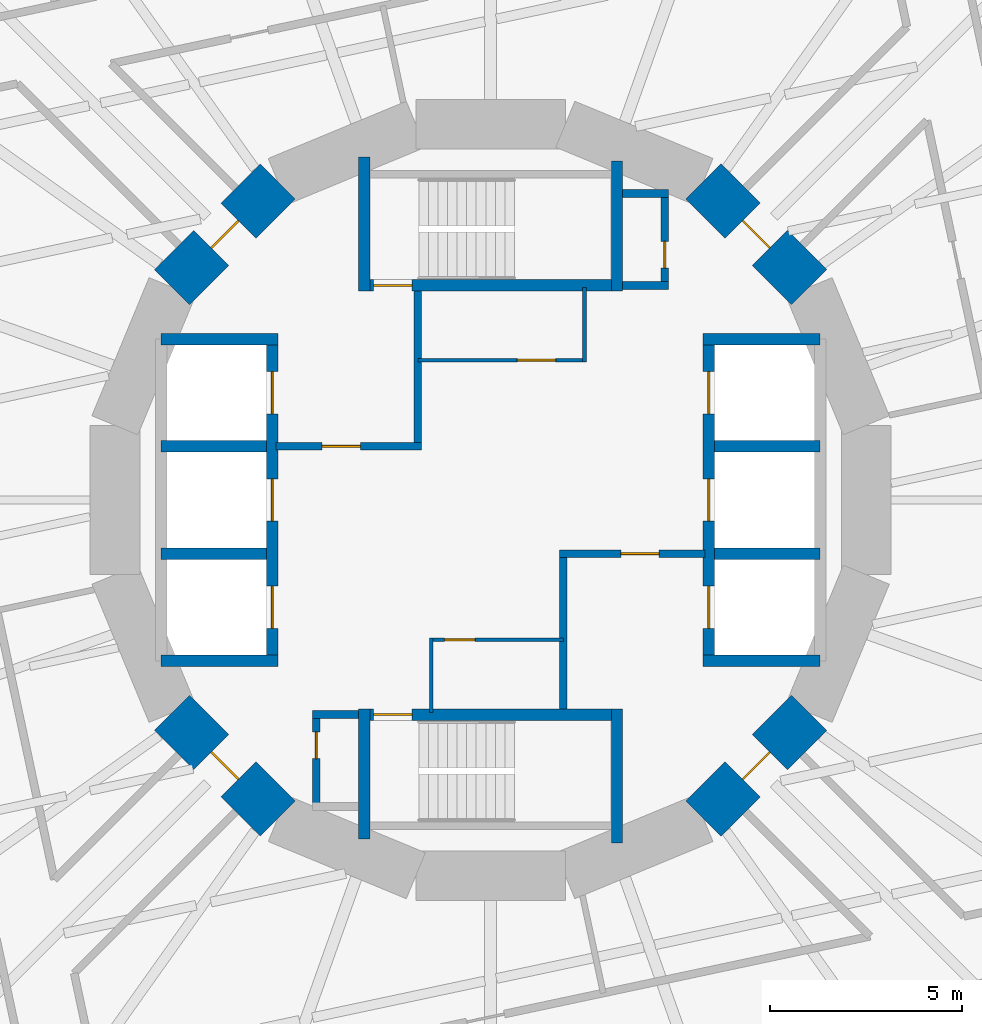
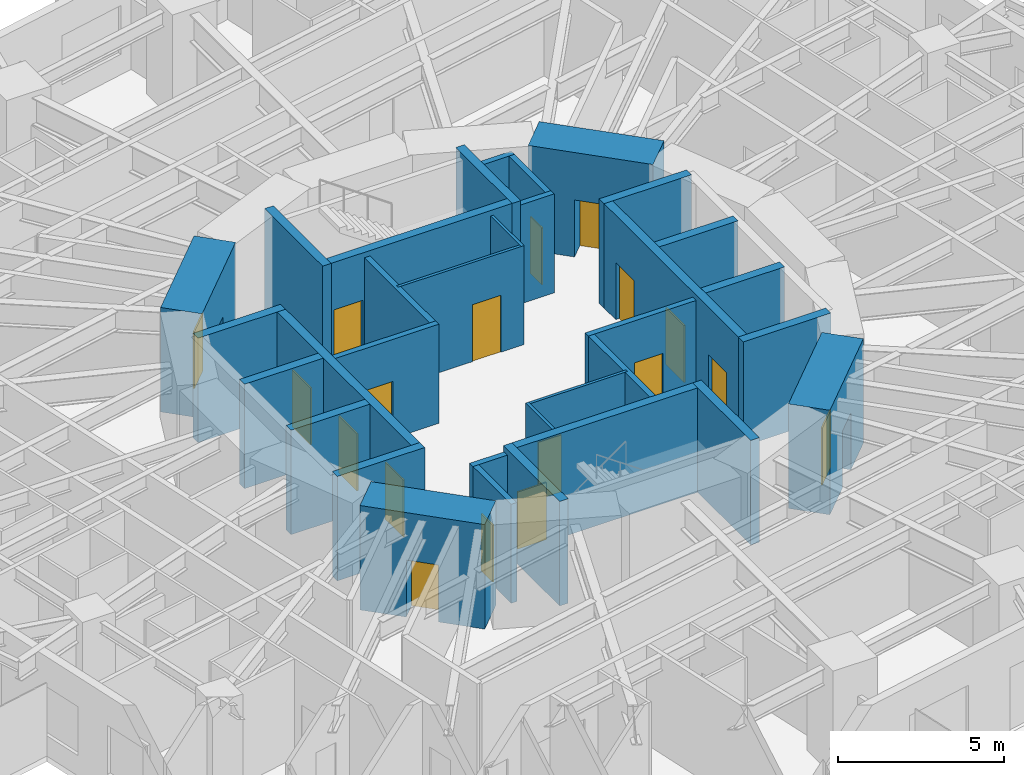
# One storey, part 7 of 14: 33 walls, 18 doors, 18 openings.
"""IFC4 building model written with IfcOpenShell, lengths in metres."""

from ifc_helpers import new_model, si_unit, direction, frame, frame_2d, origin, place, context, subcontext, project, spatial, rectangle, extrude, material, layer, layer_set, type_object, element, fill, save


model = new_model("IFC4")

# Units and contexts
model_context = context("Model", 3, precision=1e-05, world=origin(), true_north=direction((0.0, 1.0)))
body_context = subcontext(model_context, "Body", "Model", "MODEL_VIEW")
ifc_project = project(units=[si_unit("LENGTHUNIT", "METRE"), si_unit("AREAUNIT", "SQUARE_METRE"), si_unit("VOLUMEUNIT", "CUBIC_METRE"), si_unit("PLANEANGLEUNIT", "RADIAN"), si_unit("MASSUNIT", "GRAM", prefix="KILO")], contexts=[model_context])

# Site, building, storey
site_placement = place(None, origin())
site = spatial("IfcSite", under=ifc_project, at=site_placement, CompositionType="ELEMENT")
building_placement = place(site_placement, origin())
building = spatial("IfcBuilding", under=site, at=building_placement, Name="Nakasero Lantern House", CompositionType="ELEMENT")
storey_placement = place(building_placement, frame((0.0, 0.0, 128.10009765625)))
storey = spatial("IfcBuildingStorey", under=building, at=storey_placement, Name="L31", CompositionType="ELEMENT", Elevation=128.10009765625)

# Wall, openings, doors
ifc_material_1 = material(Name="Concrete C50/60", Category="concrete")
ifc_layer_1 = layer(ifc_material_1, 0.300048828125)
ifc_layer_set_1 = layer_set([ifc_layer_1], Name="Core inner wall 300")
wall_type_1 = type_object("IfcWallType", Name="Core inner wall 300", PredefinedType="SHEAR", material=ifc_layer_set_1)
wall_1_placement = place(storey_placement, frame((-5.699951171875, -4.199951171875, 0.0), z_axis=(0.0, 0.0, 1.0), x_axis=(0.0, 1.0, 0.0)))
wall_1 = element("IfcWall", 1, at=wall_1_placement, inside=storey, type_object=wall_type_1, Name="Core inner wall L31 LW", PredefinedType="SHEAR", context=body_context, shape_type="SweptSolid", body=[
    extrude(rectangle(XDim=8.39990234375, YDim=0.300048828125, at=frame_2d((4.199951171875, 0.0))), origin(), (0.0, 0.0, 1.0), 3.849853515625),
])
opening_1_placement = place(wall_1_placement, frame((0.85009765625, 0.0, 0.0)))
opening_1 = element("IfcOpeningElement", 2, at=opening_1_placement, cuts=wall_1, Name="Opening LD", PredefinedType="OPENING", context=body_context, shape_type="SweptSolid", body=[
    extrude(rectangle(XDim=1.10009765625, YDim=2.10009765625, at=frame_2d((0.550048828125, 1.050048828125))), frame((0.0, 0.169921875, 0.0), z_axis=(0.0, -1.0, 0.0), x_axis=(1.0, 0.0, 0.0)), (0.0, 0.0, 1.0), 0.340087890625),
])
opening_2_placement = place(wall_1_placement, frame((3.64990234375, 0.0, 0.0)))
opening_2 = element("IfcOpeningElement", 3, at=opening_2_placement, cuts=wall_1, Name="Opening LD", PredefinedType="OPENING", context=body_context, shape_type="SweptSolid", body=[
    extrude(rectangle(XDim=1.10009765625, YDim=2.10009765625, at=frame_2d((0.550048828125, 1.050048828125))), frame((0.0, 0.169921875, 0.0), z_axis=(0.0, -1.0, 0.0), x_axis=(1.0, 0.0, 0.0)), (0.0, 0.0, 1.0), 0.340087890625),
])
opening_3_placement = place(wall_1_placement, frame((6.449951171875, 0.0, 0.0)))
opening_3 = element("IfcOpeningElement", 4, at=opening_3_placement, cuts=wall_1, Name="Opening LD", PredefinedType="OPENING", context=body_context, shape_type="SweptSolid", body=[
    extrude(rectangle(XDim=1.10009765625, YDim=2.10009765625, at=frame_2d((0.550048828125, 1.050048828125))), frame((0.0, 0.169921875, 0.0), z_axis=(0.0, -1.0, 0.0), x_axis=(1.0, 0.0, 0.0)), (0.0, 0.0, 1.0), 0.340087890625),
])
ifc_material_2 = material(Name="Steel S355", Category="steel")
door_type_1 = type_object("IfcDoorType", Name="Lift landing door E120 1100", OperationType="SLIDING_TO_LEFT", PredefinedType="DOOR", material=ifc_material_2)
door_1_placement = place(opening_1_placement, origin())
door_1 = element("IfcDoor", 5, at=door_1_placement, inside=storey, type_object=door_type_1, Name="Lift landing door LW1", OperationType="SLIDING_TO_LEFT", OverallHeight=2.10009765625, OverallWidth=1.10009765625, PredefinedType="DOOR", context=body_context, shape_type="SweptSolid", body=[
    extrude(rectangle(XDim=1.10009765625, YDim=2.10009765625, at=frame_2d((0.550048828125, 1.050048828125))), frame((0.0, 0.02490234375, 0.0), z_axis=(0.0, -1.0, 0.0), x_axis=(1.0, 0.0, 0.0)), (0.0, 0.0, 1.0), 0.050048828125),
])
fill(opening_1, door_1)
door_2_placement = place(opening_2_placement, origin())
door_2 = element("IfcDoor", 6, at=door_2_placement, inside=storey, type_object=door_type_1, Name="Lift landing door LW2", OperationType="SLIDING_TO_LEFT", OverallHeight=2.10009765625, OverallWidth=1.10009765625, PredefinedType="DOOR", context=body_context, shape_type="SweptSolid", body=[
    extrude(rectangle(XDim=1.10009765625, YDim=2.10009765625, at=frame_2d((0.550048828125, 1.050048828125))), frame((0.0, 0.02490234375, 0.0), z_axis=(0.0, -1.0, 0.0), x_axis=(1.0, 0.0, 0.0)), (0.0, 0.0, 1.0), 0.050048828125),
])
fill(opening_2, door_2)
door_3_placement = place(opening_3_placement, origin())
door_3 = element("IfcDoor", 7, at=door_3_placement, inside=storey, type_object=door_type_1, Name="Lift landing door LW3", OperationType="SLIDING_TO_LEFT", OverallHeight=2.10009765625, OverallWidth=1.10009765625, PredefinedType="DOOR", context=body_context, shape_type="SweptSolid", body=[
    extrude(rectangle(XDim=1.10009765625, YDim=2.10009765625, at=frame_2d((0.550048828125, 1.050048828125))), frame((0.0, 0.02490234375, 0.0), z_axis=(0.0, -1.0, 0.0), x_axis=(1.0, 0.0, 0.0)), (0.0, 0.0, 1.0), 0.050048828125),
])
fill(opening_3, door_3)

wall_2_placement = place(storey_placement, frame((5.699951171875, -4.199951171875, 0.0), z_axis=(0.0, 0.0, 1.0), x_axis=(0.0, 1.0, 0.0)))
wall_2 = element("IfcWall", 8, at=wall_2_placement, inside=storey, type_object=wall_type_1, Name="Core inner wall L31 LE", PredefinedType="SHEAR", context=body_context, shape_type="SweptSolid", body=[
    extrude(rectangle(XDim=8.39990234375, YDim=0.300048828125, at=frame_2d((4.199951171875, 0.0))), origin(), (0.0, 0.0, 1.0), 3.849853515625),
])
opening_4_placement = place(wall_2_placement, frame((0.85009765625, 0.0, 0.0)))
opening_4 = element("IfcOpeningElement", 9, at=opening_4_placement, cuts=wall_2, Name="Opening LD", PredefinedType="OPENING", context=body_context, shape_type="SweptSolid", body=[
    extrude(rectangle(XDim=1.10009765625, YDim=2.10009765625, at=frame_2d((0.550048828125, 1.050048828125))), frame((0.0, 0.169921875, 0.0), z_axis=(0.0, -1.0, 0.0), x_axis=(1.0, 0.0, 0.0)), (0.0, 0.0, 1.0), 0.340087890625),
])
opening_5_placement = place(wall_2_placement, frame((3.64990234375, 0.0, 0.0)))
opening_5 = element("IfcOpeningElement", 10, at=opening_5_placement, cuts=wall_2, Name="Opening LD", PredefinedType="OPENING", context=body_context, shape_type="SweptSolid", body=[
    extrude(rectangle(XDim=1.10009765625, YDim=2.10009765625, at=frame_2d((0.550048828125, 1.050048828125))), frame((0.0, 0.169921875, 0.0), z_axis=(0.0, -1.0, 0.0), x_axis=(1.0, 0.0, 0.0)), (0.0, 0.0, 1.0), 0.340087890625),
])
opening_6_placement = place(wall_2_placement, frame((6.449951171875, 0.0, 0.0)))
opening_6 = element("IfcOpeningElement", 11, at=opening_6_placement, cuts=wall_2, Name="Opening LD", PredefinedType="OPENING", context=body_context, shape_type="SweptSolid", body=[
    extrude(rectangle(XDim=1.10009765625, YDim=2.10009765625, at=frame_2d((0.550048828125, 1.050048828125))), frame((0.0, 0.169921875, 0.0), z_axis=(0.0, -1.0, 0.0), x_axis=(1.0, 0.0, 0.0)), (0.0, 0.0, 1.0), 0.340087890625),
])
door_4_placement = place(opening_4_placement, origin())
door_4 = element("IfcDoor", 12, at=door_4_placement, inside=storey, type_object=door_type_1, Name="Lift landing door LE1", OperationType="SLIDING_TO_LEFT", OverallHeight=2.10009765625, OverallWidth=1.10009765625, PredefinedType="DOOR", context=body_context, shape_type="SweptSolid", body=[
    extrude(rectangle(XDim=1.10009765625, YDim=2.10009765625, at=frame_2d((0.550048828125, 1.050048828125))), frame((0.0, 0.02490234375, 0.0), z_axis=(0.0, -1.0, 0.0), x_axis=(1.0, 0.0, 0.0)), (0.0, 0.0, 1.0), 0.050048828125),
])
fill(opening_4, door_4)
door_5_placement = place(opening_5_placement, origin())
door_5 = element("IfcDoor", 13, at=door_5_placement, inside=storey, type_object=door_type_1, Name="Lift landing door LE2", OperationType="SLIDING_TO_LEFT", OverallHeight=2.10009765625, OverallWidth=1.10009765625, PredefinedType="DOOR", context=body_context, shape_type="SweptSolid", body=[
    extrude(rectangle(XDim=1.10009765625, YDim=2.10009765625, at=frame_2d((0.550048828125, 1.050048828125))), frame((0.0, 0.02490234375, 0.0), z_axis=(0.0, -1.0, 0.0), x_axis=(1.0, 0.0, 0.0)), (0.0, 0.0, 1.0), 0.050048828125),
])
fill(opening_5, door_5)
door_6_placement = place(opening_6_placement, origin())
door_6 = element("IfcDoor", 14, at=door_6_placement, inside=storey, type_object=door_type_1, Name="Lift landing door LE3", OperationType="SLIDING_TO_LEFT", OverallHeight=2.10009765625, OverallWidth=1.10009765625, PredefinedType="DOOR", context=body_context, shape_type="SweptSolid", body=[
    extrude(rectangle(XDim=1.10009765625, YDim=2.10009765625, at=frame_2d((0.550048828125, 1.050048828125))), frame((0.0, 0.02490234375, 0.0), z_axis=(0.0, -1.0, 0.0), x_axis=(1.0, 0.0, 0.0)), (0.0, 0.0, 1.0), 0.050048828125),
])
fill(opening_6, door_6)

# Walls
for number, where, z_axis, x_axis, name in (
    (15, (-8.60009765625, 4.199951171875, 0.0), (0.0, 0.0, 1.0), (1.0, 0.0, 0.0), "Core inner wall L31 LWN"),
    (16, (-8.60009765625, -4.199951171875, 0.0), (0.0, 0.0, 1.0), (1.0, 0.0, 0.0), "Core inner wall L31 LWS"),
    (17, (5.550048828125, 4.199951171875, 0.0), (0.0, 0.0, 1.0), (1.0, 0.0, 0.0), "Core inner wall L31 LEN"),
    (18, (5.550048828125, -4.199951171875, 0.0), (0.0, 0.0, 1.0), (1.0, 0.0, 0.0), "Core inner wall L31 LES"),
):
    element("IfcWall", number, at=place(storey_placement, frame(where, z_axis=z_axis, x_axis=x_axis)), inside=storey, type_object=wall_type_1, Name=name, PredefinedType="SHEAR", context=body_context, shape_type="SweptSolid", body=[
        extrude(rectangle(XDim=3.050048828125, YDim=0.300048828125, at=frame_2d((1.52490234375, 0.0))), origin(), (0.0, 0.0, 1.0), 3.849853515625),
    ])
for number, where, z_axis, x_axis, name in (
    (19, (-8.60009765625, -1.39990234375, 0.0), (0.0, 0.0, 1.0), (1.0, 0.0, 0.0), "Core inner wall L31 LW1"),
    (20, (-8.60009765625, 1.39990234375, 0.0), (0.0, 0.0, 1.0), (1.0, 0.0, 0.0), "Core inner wall L31 LW2"),
    (21, (5.85009765625, -1.39990234375, 0.0), (0.0, 0.0, 1.0), (1.0, 0.0, 0.0), "Core inner wall L31 LE1"),
    (22, (5.85009765625, 1.39990234375, 0.0), (0.0, 0.0, 1.0), (1.0, 0.0, 0.0), "Core inner wall L31 LE2"),
):
    element("IfcWall", number, at=place(storey_placement, frame(where, z_axis=z_axis, x_axis=x_axis)), inside=storey, type_object=wall_type_1, Name=name, PredefinedType="SHEAR", context=body_context, shape_type="SweptSolid", body=[
        extrude(rectangle(XDim=2.75, YDim=0.300048828125, at=frame_2d((1.375, 0.0))), origin(), (0.0, 0.0, 1.0), 3.849853515625),
    ])

# Wall, opening, door
wall_3_placement = place(storey_placement, frame((-3.449951171875, 5.60009765625, 0.0), z_axis=(0.0, 0.0, 1.0), x_axis=(1.0, 0.0, 0.0)))
wall_3 = element("IfcWall", 23, at=wall_3_placement, inside=storey, type_object=wall_type_1, Name="Core inner wall L31 SN", PredefinedType="SHEAR", context=body_context, shape_type="SweptSolid", body=[
    extrude(rectangle(XDim=6.89990234375, YDim=0.300048828125, at=frame_2d((3.449951171875, 0.0))), origin(), (0.0, 0.0, 1.0), 3.849853515625),
])
opening_7_placement = place(wall_3_placement, frame((0.39990234375, 0.0, 0.0)))
opening_7 = element("IfcOpeningElement", 24, at=opening_7_placement, cuts=wall_3, Name="Opening D05", PredefinedType="OPENING", context=body_context, shape_type="SweptSolid", body=[
    extrude(rectangle(XDim=1.0, YDim=2.10009765625, at=frame_2d((0.5, 1.050048828125))), frame((0.0, 0.169921875, 0.0), z_axis=(0.0, -1.0, 0.0), x_axis=(1.0, 0.0, 0.0)), (0.0, 0.0, 1.0), 0.340087890625),
])
ifc_material_3 = material(Name="Timber C24", Category="wood")
door_type_2 = type_object("IfcDoorType", Name="Core door FD60S 1000", OperationType="SINGLE_SWING_LEFT", PredefinedType="DOOR", material=ifc_material_3)
door_7_placement = place(opening_7_placement, origin())
door_7 = element("IfcDoor", 25, at=door_7_placement, inside=storey, type_object=door_type_2, Name="Door L31 D-ST1", OperationType="SINGLE_SWING_LEFT", OverallHeight=2.10009765625, OverallWidth=1.0, PredefinedType="DOOR", context=body_context, shape_type="SweptSolid", body=[
    extrude(rectangle(XDim=1.0, YDim=2.10009765625, at=frame_2d((0.5, 1.050048828125))), frame((0.0, 0.02490234375, 0.0), z_axis=(0.0, -1.0, 0.0), x_axis=(1.0, 0.0, 0.0)), (0.0, 0.0, 1.0), 0.050048828125),
])
fill(opening_7, door_7)

# Walls
wall_4_placement = place(storey_placement, frame((-3.300048828125, 5.449951171875, 0.0), z_axis=(0.0, 0.0, 1.0), x_axis=(0.0, 1.0, 0.0)))
element("IfcWall", 26, at=wall_4_placement, inside=storey, type_object=wall_type_1, Name="Core inner wall L31 SNW", PredefinedType="SHEAR", context=body_context, shape_type="SweptSolid", body=[
    extrude(rectangle(XDim=3.5, YDim=0.300048828125, at=frame_2d((1.75, 0.0))), origin(), (0.0, 0.0, 1.0), 3.849853515625),
])
wall_5_placement = place(storey_placement, frame((3.300048828125, 5.449951171875, 0.0), z_axis=(0.0, 0.0, 1.0), x_axis=(0.0, 1.0, 0.0)))
element("IfcWall", 27, at=wall_5_placement, inside=storey, type_object=wall_type_1, Name="Core inner wall L31 SNE", PredefinedType="SHEAR", context=body_context, shape_type="SweptSolid", body=[
    extrude(rectangle(XDim=3.400146484375, YDim=0.300048828125, at=frame_2d((1.7001953125, 0.0))), origin(), (0.0, 0.0, 1.0), 3.849853515625),
])

# Wall, opening, door
wall_6_placement = place(storey_placement, frame((-3.449951171875, -5.60009765625, 0.0), z_axis=(0.0, 0.0, 1.0), x_axis=(1.0, 0.0, 0.0)))
wall_6 = element("IfcWall", 28, at=wall_6_placement, inside=storey, type_object=wall_type_1, Name="Core inner wall L31 SS", PredefinedType="SHEAR", context=body_context, shape_type="SweptSolid", body=[
    extrude(rectangle(XDim=6.89990234375, YDim=0.300048828125, at=frame_2d((3.449951171875, 0.0))), origin(), (0.0, 0.0, 1.0), 3.849853515625),
])
opening_8_placement = place(wall_6_placement, frame((0.39990234375, 0.0, 0.0)))
opening_8 = element("IfcOpeningElement", 29, at=opening_8_placement, cuts=wall_6, Name="Opening D05", PredefinedType="OPENING", context=body_context, shape_type="SweptSolid", body=[
    extrude(rectangle(XDim=1.0, YDim=2.10009765625, at=frame_2d((0.5, 1.050048828125))), frame((0.0, 0.169921875, 0.0), z_axis=(0.0, -1.0, 0.0), x_axis=(1.0, 0.0, 0.0)), (0.0, 0.0, 1.0), 0.340087890625),
])
door_8_placement = place(opening_8_placement, origin())
door_8 = element("IfcDoor", 30, at=door_8_placement, inside=storey, type_object=door_type_2, Name="Door L31 D-ST2", OperationType="SINGLE_SWING_LEFT", OverallHeight=2.10009765625, OverallWidth=1.0, PredefinedType="DOOR", context=body_context, shape_type="SweptSolid", body=[
    extrude(rectangle(XDim=1.0, YDim=2.10009765625, at=frame_2d((0.5, 1.050048828125))), frame((0.0, 0.02490234375, 0.0), z_axis=(0.0, -1.0, 0.0), x_axis=(1.0, 0.0, 0.0)), (0.0, 0.0, 1.0), 0.050048828125),
])
fill(opening_8, door_8)

# Walls
wall_7_placement = place(storey_placement, frame((-3.300048828125, -5.449951171875, 0.0), z_axis=(0.0, 0.0, 1.0), x_axis=(0.0, -1.0, 0.0)))
element("IfcWall", 31, at=wall_7_placement, inside=storey, type_object=wall_type_1, Name="Core inner wall L31 SSW", PredefinedType="SHEAR", context=body_context, shape_type="SweptSolid", body=[
    extrude(rectangle(XDim=3.400146484375, YDim=0.300048828125, at=frame_2d((1.7001953125, 0.0))), origin(), (0.0, 0.0, 1.0), 3.849853515625),
])
wall_8_placement = place(storey_placement, frame((3.300048828125, -5.449951171875, 0.0), z_axis=(0.0, 0.0, 1.0), x_axis=(0.0, -1.0, 0.0)))
element("IfcWall", 32, at=wall_8_placement, inside=storey, type_object=wall_type_1, Name="Core inner wall L31 SSE", PredefinedType="SHEAR", context=body_context, shape_type="SweptSolid", body=[
    extrude(rectangle(XDim=3.5, YDim=0.300048828125, at=frame_2d((1.75, 0.0))), origin(), (0.0, 0.0, 1.0), 3.849853515625),
])

# Wall, opening, door
ifc_material_4 = material(Name="Blockwork", Category="masonry")
ifc_layer_2 = layer(ifc_material_4, 0.10009765625)
ifc_layer_set_2 = layer_set([ifc_layer_2], Name="Core room wall 100")
wall_type_2 = type_object("IfcWallType", Name="Core room wall 100", PredefinedType="PARTITIONING", material=ifc_layer_set_2)
wall_9_placement = place(storey_placement, frame((-1.89990234375, 3.64990234375, 0.0), z_axis=(0.0, 0.0, 1.0), x_axis=(1.0, 0.0, 0.0)))
wall_9 = element("IfcWall", 33, at=wall_9_placement, inside=storey, type_object=wall_type_2, Name="Core room wall L31 CR-NES", PredefinedType="PARTITIONING", context=body_context, shape_type="SweptSolid", body=[
    extrude(rectangle(XDim=4.39990234375, YDim=0.10009765625, at=frame_2d((2.199951171875, 0.0))), origin(), (0.0, 0.0, 1.0), 3.64990234375),
])
opening_9_placement = place(wall_9_placement, frame((2.60009765625, 0.0, 0.0)))
opening_9 = element("IfcOpeningElement", 34, at=opening_9_placement, cuts=wall_9, Name="Opening D07", PredefinedType="OPENING", context=body_context, shape_type="SweptSolid", body=[
    extrude(rectangle(XDim=1.0, YDim=2.10009765625, at=frame_2d((0.5, 1.050048828125))), frame((0.0, 0.070068359375, 0.0), z_axis=(0.0, -1.0, 0.0), x_axis=(1.0, 0.0, 0.0)), (0.0, 0.0, 1.0), 0.14013671875),
])
ifc_material_5 = material(Name="Timber C24", Category="wood")
door_type_3 = type_object("IfcDoorType", Name="Room door FD30S 1000", OperationType="SINGLE_SWING_LEFT", PredefinedType="DOOR", material=ifc_material_5)
door_9_placement = place(opening_9_placement, origin())
door_9 = element("IfcDoor", 35, at=door_9_placement, inside=storey, type_object=door_type_3, Name="Door L31 D-CR-NE", OperationType="SINGLE_SWING_RIGHT", OverallHeight=2.10009765625, OverallWidth=1.0, PredefinedType="DOOR", context=body_context, shape_type="SweptSolid", body=[
    extrude(rectangle(XDim=1.0, YDim=2.10009765625, at=frame_2d((0.5, 1.050048828125))), frame((0.0, 0.02490234375, 0.0), z_axis=(0.0, -1.0, 0.0), x_axis=(1.0, 0.0, 0.0)), (0.0, 0.0, 1.0), 0.050048828125),
])
fill(opening_9, door_9)

# Wall
wall_10_placement = place(storey_placement, frame((2.449951171875, 3.60009765625, 0.0), z_axis=(0.0, 0.0, 1.0), x_axis=(0.0, 1.0, 0.0)))
element("IfcWall", 36, at=wall_10_placement, inside=storey, type_object=wall_type_2, Name="Core room wall L31 CR-NEE", PredefinedType="PARTITIONING", context=body_context, shape_type="SweptSolid", body=[
    extrude(rectangle(XDim=1.949951171875, YDim=0.10009765625, at=frame_2d((0.97509765625, 0.0))), origin(), (0.0, 0.0, 1.0), 3.64990234375),
])

# Wall, opening, door
wall_11_placement = place(storey_placement, frame((-1.60009765625, -3.64990234375, 0.0), z_axis=(0.0, 0.0, 1.0), x_axis=(1.0, 0.0, 0.0)))
wall_11 = element("IfcWall", 37, at=wall_11_placement, inside=storey, type_object=wall_type_2, Name="Core room wall L31 CR-SWN", PredefinedType="PARTITIONING", context=body_context, shape_type="SweptSolid", body=[
    extrude(rectangle(XDim=3.5, YDim=0.10009765625, at=frame_2d((1.75, 0.0))), origin(), (0.0, 0.0, 1.0), 3.64990234375),
])
opening_10_placement = place(wall_11_placement, frame((0.39990234375, 0.0, 0.0)))
opening_10 = element("IfcOpeningElement", 38, at=opening_10_placement, cuts=wall_11, Name="Opening D15", PredefinedType="OPENING", context=body_context, shape_type="SweptSolid", body=[
    extrude(rectangle(XDim=0.800048828125, YDim=2.10009765625, at=frame_2d((0.39990234375, 1.050048828125))), frame((0.0, 0.070068359375, 0.0), z_axis=(0.0, -1.0, 0.0), x_axis=(1.0, 0.0, 0.0)), (0.0, 0.0, 1.0), 0.14013671875),
])
ifc_material_6 = material(Name="Timber C24", Category="wood")
door_type_4 = type_object("IfcDoorType", Name="Cleaner's store door FD30S 800", OperationType="SINGLE_SWING_LEFT", PredefinedType="DOOR", material=ifc_material_6)
door_10_placement = place(opening_10_placement, origin())
door_10 = element("IfcDoor", 39, at=door_10_placement, inside=storey, type_object=door_type_4, Name="Door L31 D-CR-SW", OperationType="SINGLE_SWING_LEFT", OverallHeight=2.10009765625, OverallWidth=0.800048828125, PredefinedType="DOOR", context=body_context, shape_type="SweptSolid", body=[
    extrude(rectangle(XDim=0.800048828125, YDim=2.10009765625, at=frame_2d((0.39990234375, 1.050048828125))), frame((0.0, 0.02490234375, 0.0), z_axis=(0.0, -1.0, 0.0), x_axis=(1.0, 0.0, 0.0)), (0.0, 0.0, 1.0), 0.050048828125),
])
fill(opening_10, door_10)

# Wall
wall_12_placement = place(storey_placement, frame((-1.550048828125, -5.550048828125, 0.0), z_axis=(0.0, 0.0, 1.0), x_axis=(0.0, 1.0, 0.0)))
element("IfcWall", 40, at=wall_12_placement, inside=storey, type_object=wall_type_2, Name="Core room wall L31 CR-SWW", PredefinedType="PARTITIONING", context=body_context, shape_type="SweptSolid", body=[
    extrude(rectangle(XDim=1.949951171875, YDim=0.10009765625, at=frame_2d((0.97509765625, 0.0))), origin(), (0.0, 0.0, 1.0), 3.64990234375),
])

# Wall, opening, door
ifc_material_7 = material(Name="Concrete C50/60", Category="concrete")
ifc_layer_3 = layer(ifc_material_7, 1.300048828125)
ifc_layer_set_3 = layer_set([ifc_layer_3], Name="Core wall 1300")
wall_type_3 = type_object("IfcWallType", Name="Core wall 1300", PredefinedType="SHEAR", material=ifc_layer_set_3)
wall_13_placement = place(storey_placement, frame((8.314697265625, 5.5556640625, 0.0), z_axis=(0.0, 0.0, 1.0), x_axis=(-0.707106781187, 0.707106781187, 0.0)))
wall_13 = element("IfcWall", 41, at=wall_13_placement, inside=storey, type_object=wall_type_3, Name="Core wall L31 facet 2", PredefinedType="SHEAR", context=body_context, shape_type="SweptSolid", body=[
    extrude(rectangle(XDim=3.90185546875, YDim=1.300048828125, at=frame_2d((1.950927734375, 0.0))), origin(), (0.0, 0.0, 1.0), 3.849853515625),
])
opening_11_placement = place(wall_13_placement, frame((1.450927734375, 0.0, 0.0)))
opening_11 = element("IfcOpeningElement", 42, at=opening_11_placement, cuts=wall_13, Name="Opening D05", PredefinedType="OPENING", context=body_context, shape_type="SweptSolid", body=[
    extrude(rectangle(XDim=1.0, YDim=2.10009765625, at=frame_2d((0.5, 1.050048828125))), frame((0.0, 0.669921875, 0.0), z_axis=(0.0, -1.0, 0.0), x_axis=(1.0, 0.0, 0.0)), (0.0, 0.0, 1.0), 1.340087890625),
])
door_11_placement = place(opening_11_placement, origin())
door_11 = element("IfcDoor", 43, at=door_11_placement, inside=storey, type_object=door_type_2, Name="Door L31 D-CORE02", OperationType="SINGLE_SWING_LEFT", OverallHeight=2.10009765625, OverallWidth=1.0, PredefinedType="DOOR", context=body_context, shape_type="SweptSolid", body=[
    extrude(rectangle(XDim=1.0, YDim=2.10009765625, at=frame_2d((0.5, 1.050048828125))), frame((0.0, 0.02490234375, 0.0), z_axis=(0.0, -1.0, 0.0), x_axis=(1.0, 0.0, 0.0)), (0.0, 0.0, 1.0), 0.050048828125),
])
fill(opening_11, door_11)

wall_14_placement = place(storey_placement, frame((-5.5556640625, 8.314697265625, 0.0), z_axis=(0.0, 0.0, 1.0), x_axis=(-0.707106781187, -0.707106781187, 0.0)))
wall_14 = element("IfcWall", 44, at=wall_14_placement, inside=storey, type_object=wall_type_3, Name="Core wall L31 facet 6", PredefinedType="SHEAR", context=body_context, shape_type="SweptSolid", body=[
    extrude(rectangle(XDim=3.90185546875, YDim=1.300048828125, at=frame_2d((1.950927734375, 0.0))), origin(), (0.0, 0.0, 1.0), 3.849853515625),
])
opening_12_placement = place(wall_14_placement, frame((1.450927734375, 0.0, 0.0)))
opening_12 = element("IfcOpeningElement", 45, at=opening_12_placement, cuts=wall_14, Name="Opening D05", PredefinedType="OPENING", context=body_context, shape_type="SweptSolid", body=[
    extrude(rectangle(XDim=1.0, YDim=2.10009765625, at=frame_2d((0.5, 1.050048828125))), frame((0.0, 0.669921875, 0.0), z_axis=(0.0, -1.0, 0.0), x_axis=(1.0, 0.0, 0.0)), (0.0, 0.0, 1.0), 1.340087890625),
])
door_12_placement = place(opening_12_placement, origin())
door_12 = element("IfcDoor", 46, at=door_12_placement, inside=storey, type_object=door_type_2, Name="Door L31 D-CORE06", OperationType="SINGLE_SWING_LEFT", OverallHeight=2.10009765625, OverallWidth=1.0, PredefinedType="DOOR", context=body_context, shape_type="SweptSolid", body=[
    extrude(rectangle(XDim=1.0, YDim=2.10009765625, at=frame_2d((0.5, 1.050048828125))), frame((0.0, 0.02490234375, 0.0), z_axis=(0.0, -1.0, 0.0), x_axis=(1.0, 0.0, 0.0)), (0.0, 0.0, 1.0), 0.050048828125),
])
fill(opening_12, door_12)

wall_15_placement = place(storey_placement, frame((-8.314697265625, -5.5556640625, 0.0), z_axis=(0.0, 0.0, 1.0), x_axis=(0.707106781187, -0.707106781187, 0.0)))
wall_15 = element("IfcWall", 47, at=wall_15_placement, inside=storey, type_object=wall_type_3, Name="Core wall L31 facet 10", PredefinedType="SHEAR", context=body_context, shape_type="SweptSolid", body=[
    extrude(rectangle(XDim=3.90185546875, YDim=1.300048828125, at=frame_2d((1.950927734375, 0.0))), origin(), (0.0, 0.0, 1.0), 3.849853515625),
])
opening_13_placement = place(wall_15_placement, frame((1.450927734375, 0.0, 0.0)))
opening_13 = element("IfcOpeningElement", 48, at=opening_13_placement, cuts=wall_15, Name="Opening D05", PredefinedType="OPENING", context=body_context, shape_type="SweptSolid", body=[
    extrude(rectangle(XDim=1.0, YDim=2.10009765625, at=frame_2d((0.5, 1.050048828125))), frame((0.0, 0.669921875, 0.0), z_axis=(0.0, -1.0, 0.0), x_axis=(1.0, 0.0, 0.0)), (0.0, 0.0, 1.0), 1.340087890625),
])
door_13_placement = place(opening_13_placement, origin())
door_13 = element("IfcDoor", 49, at=door_13_placement, inside=storey, type_object=door_type_2, Name="Door L31 D-CORE10", OperationType="SINGLE_SWING_LEFT", OverallHeight=2.10009765625, OverallWidth=1.0, PredefinedType="DOOR", context=body_context, shape_type="SweptSolid", body=[
    extrude(rectangle(XDim=1.0, YDim=2.10009765625, at=frame_2d((0.5, 1.050048828125))), frame((0.0, 0.02490234375, 0.0), z_axis=(0.0, -1.0, 0.0), x_axis=(1.0, 0.0, 0.0)), (0.0, 0.0, 1.0), 0.050048828125),
])
fill(opening_13, door_13)

wall_16_placement = place(storey_placement, frame((5.5556640625, -8.314697265625, 0.0), z_axis=(0.0, 0.0, 1.0), x_axis=(0.707106781187, 0.707106781187, 0.0)))
wall_16 = element("IfcWall", 50, at=wall_16_placement, inside=storey, type_object=wall_type_3, Name="Core wall L31 facet 14", PredefinedType="SHEAR", context=body_context, shape_type="SweptSolid", body=[
    extrude(rectangle(XDim=3.90185546875, YDim=1.300048828125, at=frame_2d((1.950927734375, 0.0))), origin(), (0.0, 0.0, 1.0), 3.849853515625),
])
opening_14_placement = place(wall_16_placement, frame((1.450927734375, 0.0, 0.0)))
opening_14 = element("IfcOpeningElement", 51, at=opening_14_placement, cuts=wall_16, Name="Opening D05", PredefinedType="OPENING", context=body_context, shape_type="SweptSolid", body=[
    extrude(rectangle(XDim=1.0, YDim=2.10009765625, at=frame_2d((0.5, 1.050048828125))), frame((0.0, 0.669921875, 0.0), z_axis=(0.0, -1.0, 0.0), x_axis=(1.0, 0.0, 0.0)), (0.0, 0.0, 1.0), 1.340087890625),
])
door_14_placement = place(opening_14_placement, origin())
door_14 = element("IfcDoor", 52, at=door_14_placement, inside=storey, type_object=door_type_2, Name="Door L31 D-CORE14", OperationType="SINGLE_SWING_LEFT", OverallHeight=2.10009765625, OverallWidth=1.0, PredefinedType="DOOR", context=body_context, shape_type="SweptSolid", body=[
    extrude(rectangle(XDim=1.0, YDim=2.10009765625, at=frame_2d((0.5, 1.050048828125))), frame((0.0, 0.02490234375, 0.0), z_axis=(0.0, -1.0, 0.0), x_axis=(1.0, 0.0, 0.0)), (0.0, 0.0, 1.0), 0.050048828125),
])
fill(opening_14, door_14)

ifc_material_8 = material(Name="Blockwork", Category="masonry")
ifc_layer_4 = layer(ifc_material_8, 0.199951171875)
ifc_layer_set_4 = layer_set([ifc_layer_4], Name="Fire lobby wall 200")
wall_type_4 = type_object("IfcWallType", Name="Fire lobby wall 200", PredefinedType="PARTITIONING", material=ifc_layer_set_4)
wall_17_placement = place(storey_placement, frame((-5.60009765625, 1.39990234375, 0.0), z_axis=(0.0, 0.0, 1.0), x_axis=(1.0, 0.0, 0.0)))
wall_17 = element("IfcWall", 53, at=wall_17_placement, inside=storey, type_object=wall_type_4, Name="Fire lobby wall L31 W-FL1S", PredefinedType="PARTITIONING", context=body_context, shape_type="SweptSolid", body=[
    extrude(rectangle(XDim=3.800048828125, YDim=0.199951171875, at=frame_2d((1.89990234375, 0.0))), origin(), (0.0, 0.0, 1.0), 3.64990234375),
])
opening_15_placement = place(wall_17_placement, frame((1.199951171875, 0.0, 0.0)))
opening_15 = element("IfcOpeningElement", 54, at=opening_15_placement, cuts=wall_17, Name="Opening D05", PredefinedType="OPENING", context=body_context, shape_type="SweptSolid", body=[
    extrude(rectangle(XDim=1.0, YDim=2.10009765625, at=frame_2d((0.5, 1.050048828125))), frame((0.0, 0.119873046875, 0.0), z_axis=(0.0, -1.0, 0.0), x_axis=(1.0, 0.0, 0.0)), (0.0, 0.0, 1.0), 0.239990234375),
])
door_15_placement = place(opening_15_placement, origin())
door_15 = element("IfcDoor", 55, at=door_15_placement, inside=storey, type_object=door_type_2, Name="Door L31 D-FL1", OperationType="SINGLE_SWING_LEFT", OverallHeight=2.10009765625, OverallWidth=1.0, PredefinedType="DOOR", context=body_context, shape_type="SweptSolid", body=[
    extrude(rectangle(XDim=1.0, YDim=2.10009765625, at=frame_2d((0.5, 1.050048828125))), frame((0.0, 0.02490234375, 0.0), z_axis=(0.0, -1.0, 0.0), x_axis=(1.0, 0.0, 0.0)), (0.0, 0.0, 1.0), 0.050048828125),
])
fill(opening_15, door_15)

# Wall
wall_18_placement = place(storey_placement, frame((-1.89990234375, 1.5, 0.0), z_axis=(0.0, 0.0, 1.0), x_axis=(0.0, 1.0, 0.0)))
element("IfcWall", 56, at=wall_18_placement, inside=storey, type_object=wall_type_4, Name="Fire lobby wall L31 W-FL1E", PredefinedType="PARTITIONING", context=body_context, shape_type="SweptSolid", body=[
    extrude(rectangle(XDim=3.949951171875, YDim=0.199951171875, at=frame_2d((1.97509765625, 0.0))), origin(), (0.0, 0.0, 1.0), 3.64990234375),
])

# Wall, opening, door
wall_19_placement = place(storey_placement, frame((5.60009765625, -1.39990234375, 0.0), z_axis=(0.0, 0.0, 1.0), x_axis=(-1.0, 0.0, 0.0)))
wall_19 = element("IfcWall", 57, at=wall_19_placement, inside=storey, type_object=wall_type_4, Name="Fire lobby wall L31 W-FL2N", PredefinedType="PARTITIONING", context=body_context, shape_type="SweptSolid", body=[
    extrude(rectangle(XDim=3.800048828125, YDim=0.199951171875, at=frame_2d((1.89990234375, 0.0))), origin(), (0.0, 0.0, 1.0), 3.64990234375),
])
opening_16_placement = place(wall_19_placement, frame((1.199951171875, 0.0, 0.0)))
opening_16 = element("IfcOpeningElement", 58, at=opening_16_placement, cuts=wall_19, Name="Opening D05", PredefinedType="OPENING", context=body_context, shape_type="SweptSolid", body=[
    extrude(rectangle(XDim=1.0, YDim=2.10009765625, at=frame_2d((0.5, 1.050048828125))), frame((0.0, 0.119873046875, 0.0), z_axis=(0.0, -1.0, 0.0), x_axis=(1.0, 0.0, 0.0)), (0.0, 0.0, 1.0), 0.239990234375),
])
door_16_placement = place(opening_16_placement, origin())
door_16 = element("IfcDoor", 59, at=door_16_placement, inside=storey, type_object=door_type_2, Name="Door L31 D-FL2", OperationType="SINGLE_SWING_LEFT", OverallHeight=2.10009765625, OverallWidth=1.0, PredefinedType="DOOR", context=body_context, shape_type="SweptSolid", body=[
    extrude(rectangle(XDim=1.0, YDim=2.10009765625, at=frame_2d((0.5, 1.050048828125))), frame((0.0, 0.02490234375, 0.0), z_axis=(0.0, -1.0, 0.0), x_axis=(1.0, 0.0, 0.0)), (0.0, 0.0, 1.0), 0.050048828125),
])
fill(opening_16, door_16)

# Wall
wall_20_placement = place(storey_placement, frame((1.89990234375, -1.5, 0.0), z_axis=(0.0, 0.0, 1.0), x_axis=(0.0, -1.0, 0.0)))
element("IfcWall", 60, at=wall_20_placement, inside=storey, type_object=wall_type_4, Name="Fire lobby wall L31 W-FL2W", PredefinedType="PARTITIONING", context=body_context, shape_type="SweptSolid", body=[
    extrude(rectangle(XDim=3.949951171875, YDim=0.199951171875, at=frame_2d((1.97509765625, 0.0))), origin(), (0.0, 0.0, 1.0), 3.64990234375),
])

# Wall, opening, door
wall_21_placement = place(storey_placement, frame((4.550048828125, 5.60009765625, 0.0), z_axis=(0.0, 0.0, 1.0), x_axis=(0.0, 1.0, 0.0)))
wall_21 = element("IfcWall", 61, at=wall_21_placement, inside=storey, type_object=wall_type_4, Name="Fire lobby wall L31 W-RS1E", PredefinedType="PARTITIONING", context=body_context, shape_type="SweptSolid", body=[
    extrude(rectangle(XDim=2.39990234375, YDim=0.199951171875, at=frame_2d((1.199951171875, 0.0))), origin(), (0.0, 0.0, 1.0), 3.64990234375),
])
opening_17_placement = place(wall_21_placement, frame((0.449951171875, 0.0, 0.0)))
opening_17 = element("IfcOpeningElement", 62, at=opening_17_placement, cuts=wall_21, Name="Opening D06", PredefinedType="OPENING", context=body_context, shape_type="SweptSolid", body=[
    extrude(rectangle(XDim=0.699951171875, YDim=2.10009765625, at=frame_2d((0.35009765625, 1.050048828125))), frame((0.0, 0.119873046875, 0.0), z_axis=(0.0, -1.0, 0.0), x_axis=(1.0, 0.0, 0.0)), (0.0, 0.0, 1.0), 0.239990234375),
])
ifc_material_9 = material(Name="Steel S355", Category="steel")
door_type_5 = type_object("IfcDoorType", Name="Riser door FD60 700", OperationType="SINGLE_SWING_LEFT", PredefinedType="DOOR", material=ifc_material_9)
door_17_placement = place(opening_17_placement, origin())
door_17 = element("IfcDoor", 63, at=door_17_placement, inside=storey, type_object=door_type_5, Name="Door L31 D-RS1", OperationType="SINGLE_SWING_LEFT", OverallHeight=2.10009765625, OverallWidth=0.699951171875, PredefinedType="DOOR", context=body_context, shape_type="SweptSolid", body=[
    extrude(rectangle(XDim=0.699951171875, YDim=2.10009765625, at=frame_2d((0.35009765625, 1.050048828125))), frame((0.0, 0.02490234375, 0.0), z_axis=(0.0, -1.0, 0.0), x_axis=(1.0, 0.0, 0.0)), (0.0, 0.0, 1.0), 0.050048828125),
])
fill(opening_17, door_17)

# Walls
for number, where, z_axis, x_axis, name in (
    (64, (3.449951171875, 8.0, 0.0), (0.0, 0.0, 1.0), (1.0, 0.0, 0.0), "Fire lobby wall L31 W-RS1N"),
    (65, (3.449951171875, 5.60009765625, 0.0), (0.0, 0.0, 1.0), (1.0, 0.0, 0.0), "Fire lobby wall L31 W-RS1S"),
):
    element("IfcWall", number, at=place(storey_placement, frame(where, z_axis=z_axis, x_axis=x_axis)), inside=storey, type_object=wall_type_4, Name=name, PredefinedType="PARTITIONING", context=body_context, shape_type="SweptSolid", body=[
        extrude(rectangle(XDim=1.199951171875, YDim=0.199951171875, at=frame_2d((0.60009765625, 0.0))), origin(), (0.0, 0.0, 1.0), 3.64990234375),
    ])

# Wall, opening, door
wall_22_placement = place(storey_placement, frame((-4.550048828125, -5.60009765625, 0.0), z_axis=(0.0, 0.0, 1.0), x_axis=(0.0, -1.0, 0.0)))
wall_22 = element("IfcWall", 66, at=wall_22_placement, inside=storey, type_object=wall_type_4, Name="Fire lobby wall L31 W-RS2W", PredefinedType="PARTITIONING", context=body_context, shape_type="SweptSolid", body=[
    extrude(rectangle(XDim=2.39990234375, YDim=0.199951171875, at=frame_2d((1.199951171875, 0.0))), origin(), (0.0, 0.0, 1.0), 3.64990234375),
])
opening_18_placement = place(wall_22_placement, frame((0.449951171875, 0.0, 0.0)))
opening_18 = element("IfcOpeningElement", 67, at=opening_18_placement, cuts=wall_22, Name="Opening D06", PredefinedType="OPENING", context=body_context, shape_type="SweptSolid", body=[
    extrude(rectangle(XDim=0.699951171875, YDim=2.10009765625, at=frame_2d((0.35009765625, 1.050048828125))), frame((0.0, 0.119873046875, 0.0), z_axis=(0.0, -1.0, 0.0), x_axis=(1.0, 0.0, 0.0)), (0.0, 0.0, 1.0), 0.239990234375),
])
door_18_placement = place(opening_18_placement, origin())
door_18 = element("IfcDoor", 68, at=door_18_placement, inside=storey, type_object=door_type_5, Name="Door L31 D-RS2", OperationType="SINGLE_SWING_LEFT", OverallHeight=2.10009765625, OverallWidth=0.699951171875, PredefinedType="DOOR", context=body_context, shape_type="SweptSolid", body=[
    extrude(rectangle(XDim=0.699951171875, YDim=2.10009765625, at=frame_2d((0.35009765625, 1.050048828125))), frame((0.0, 0.02490234375, 0.0), z_axis=(0.0, -1.0, 0.0), x_axis=(1.0, 0.0, 0.0)), (0.0, 0.0, 1.0), 0.050048828125),
])
fill(opening_18, door_18)

# Wall
wall_23_placement = place(storey_placement, frame((-3.449951171875, -5.60009765625, 0.0), z_axis=(0.0, 0.0, 1.0), x_axis=(-1.0, 0.0, 0.0)))
element("IfcWall", 69, at=wall_23_placement, inside=storey, type_object=wall_type_4, Name="Fire lobby wall L31 W-RS2N", PredefinedType="PARTITIONING", context=body_context, shape_type="SweptSolid", body=[
    extrude(rectangle(XDim=1.199951171875, YDim=0.199951171875, at=frame_2d((0.60009765625, 0.0))), origin(), (0.0, 0.0, 1.0), 3.64990234375),
])

save(model, "model.ifc")
